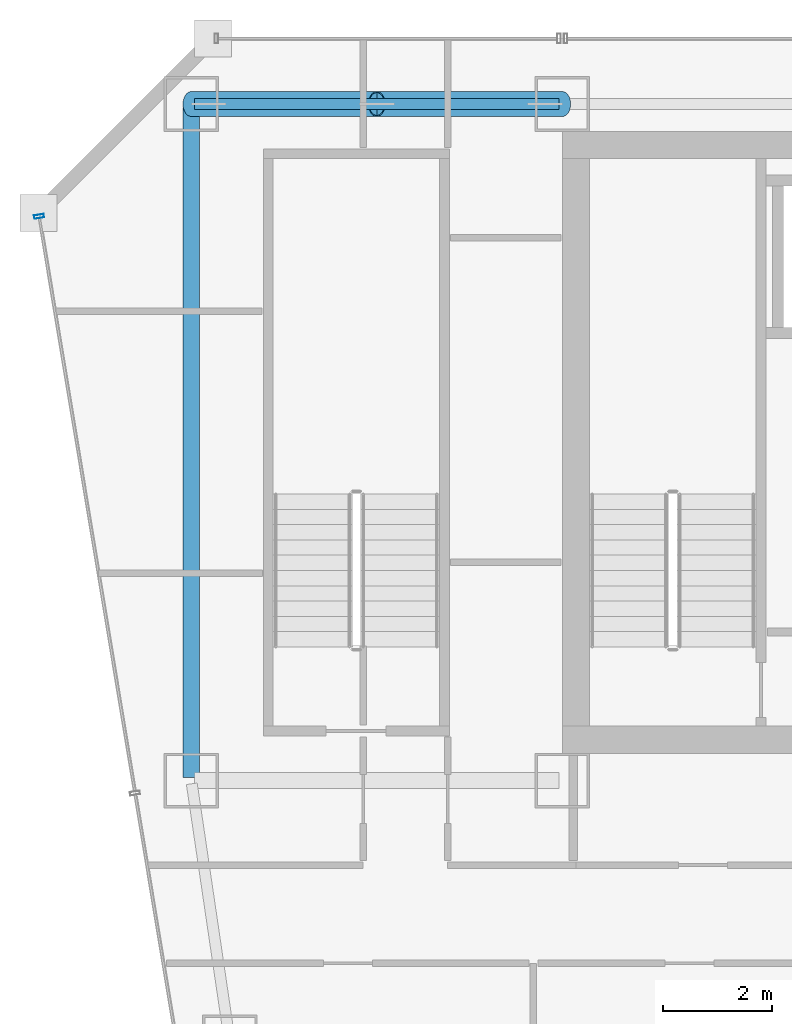
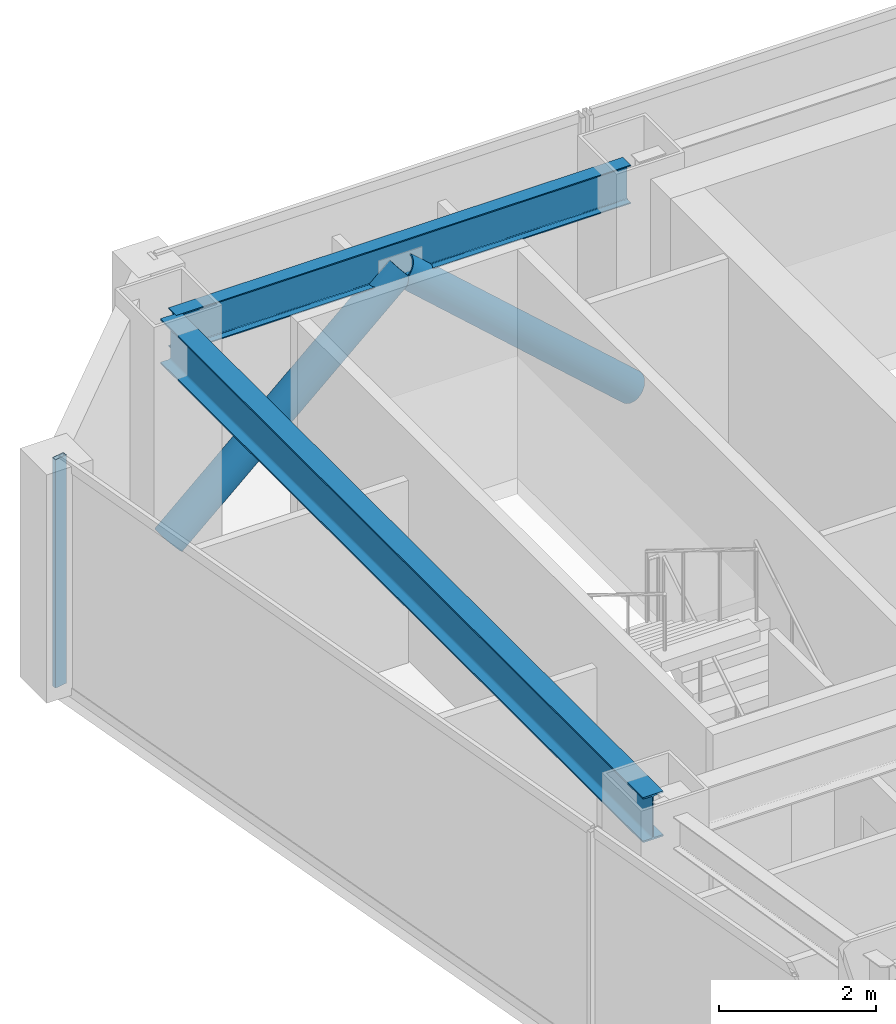
# One storey, part 20 of 37: 3 members, 2 beams, 1 element without a shape of its own.
"""IFC4 building model written with IfcOpenShell, lengths in metres."""

from ifc_helpers import new_model, si_unit, direction, frame, origin, origin_2d, place, context, subcontext, project, spatial, hollow_rectangle, hollow_circle, i_section, extrude, material, material_profile, profile_set, type_object, element, aggregate, save


model = new_model("IFC4")

# Units and contexts
model_context = context("Model", 3, precision=1e-05, world=origin(), true_north=direction((0.0, 1.0)))
body_context = subcontext(model_context, "Body", "Model", "MODEL_VIEW")
ifc_project = project(units=[si_unit("LENGTHUNIT", "METRE"), si_unit("AREAUNIT", "SQUARE_METRE"), si_unit("VOLUMEUNIT", "CUBIC_METRE"), si_unit("PLANEANGLEUNIT", "RADIAN"), si_unit("MASSUNIT", "GRAM", prefix="KILO")], contexts=[model_context])

# Site, building, storey
site_placement = place(None, origin())
site = spatial("IfcSite", under=ifc_project, at=site_placement, CompositionType="ELEMENT")
building_placement = place(site_placement, origin())
building = spatial("IfcBuilding", under=site, at=building_placement, Name="Saevonmaru Cultural Tower", CompositionType="ELEMENT")
storey_placement = place(building_placement, frame((0.0, 0.0, 160.0)))
storey = spatial("IfcBuildingStorey", under=building, at=storey_placement, Name="L35", CompositionType="ELEMENT", Elevation=160.0)

# Beams
ifc_material_1 = material(Name="Steel SM355", Category="steel")
ifc_material_profile_1 = material_profile(ifc_material_1, i_section(OverallWidth=0.300048828125, OverallDepth=0.699951171875, WebThickness=0.012939453125, FlangeThickness=0.02392578125, FilletRadius=0.02587890625, at=origin_2d()), Name="H-700x300x13x24")
ifc_profile_set_1 = profile_set([ifc_material_profile_1], Name="Steel SM355")
beam_type_1 = type_object("IfcBeamType", Name="BM-G-H700", PredefinedType="BEAM", material=ifc_profile_set_1)
beam_1_placement = place(storey_placement, frame((6.800048828125, 54.739990234375, 3.199951171875), z_axis=(0.0, -1.0, 0.0), x_axis=(1.0, 0.0, 0.0)))
element("IfcBeam", 1, at=beam_1_placement, inside=storey, type_object=beam_type_1, Name="L35 Spine Transverse Girder W", PredefinedType="BEAM", context=body_context, shape_type="SweptSolid", body=[
    extrude(i_section(OverallWidth=0.300048828125, OverallDepth=0.699951171875, WebThickness=0.012939453125, FlangeThickness=0.02392578125, FilletRadius=0.02587890625, at=origin_2d()), origin(), (0.0, 0.0, 1.0), 12.280029296875),
])
ifc_material_profile_2 = material_profile(ifc_material_1, i_section(OverallWidth=0.199951171875, OverallDepth=0.60009765625, WebThickness=0.010986328125, FlangeThickness=0.01708984375, FilletRadius=0.02197265625, at=origin_2d()), Name="H-600x200x11x17")
ifc_profile_set_2 = profile_set([ifc_material_profile_2], Name="Steel SM355")
beam_type_2 = type_object("IfcBeamType", Name="BM-SP-H600", PredefinedType="SPANDREL", material=ifc_profile_set_2)
beam_2_placement = place(storey_placement, frame((6.860107421875, 54.800048828125, 3.25), z_axis=(1.0, 0.0, 0.0), x_axis=(0.0, 1.0, 0.0)))
element("IfcBeam", 2, at=beam_2_placement, inside=storey, type_object=beam_type_2, Name="L35 North Spine Girder 1", PredefinedType="SPANDREL", context=body_context, shape_type="SweptSolid", body=[
    extrude(i_section(OverallWidth=0.199951171875, OverallDepth=0.60009765625, WebThickness=0.010986328125, FlangeThickness=0.01708984375, FilletRadius=0.02197265625, at=origin_2d()), origin(), (0.0, 0.0, 1.0), 6.679931640625),
])

# Members
ifc_material_2 = material(Name="Steel SM420", Category="steel")
ifc_material_profile_3 = material_profile(ifc_material_2, hollow_circle(Radius=0.228515625, WallThickness=0.02001953125, at=origin_2d()), Name="CHS-457.2x20")
ifc_profile_set_3 = profile_set([ifc_material_profile_3], Name="Steel SM420")
member_type_1 = type_object("IfcMemberType", Name="MB-PBR-CHS457", PredefinedType="BRACE", material=ifc_profile_set_3)
for number, where, z_axis, x_axis, name in (
    (3, (6.800048828125, 54.800048828125, 0.02001953125), (0.744366945704, 0.0, 0.667770806597), (0.0, 1.0, 0.0), "L35 Perimeter Braced-Tube Diagonal WN1"),
    (4, (13.60009765625, 54.800048828125, 0.02001953125), (-0.744390779303, 0.0, 0.66774423823), (0.0, -1.0, 0.0), "L35 Perimeter Braced-Tube Diagonal WN2"),
):
    element("IfcMember", number, at=place(storey_placement, frame(where, z_axis=z_axis, x_axis=x_axis)), inside=storey, type_object=member_type_1, Name=name, PredefinedType="BRACE", context=body_context, shape_type="SweptSolid", body=[
        extrude(hollow_circle(Radius=0.228515625, WallThickness=0.02001953125, at=origin_2d()), origin(), (0.0, 0.0, 1.0), 4.567626953125),
    ])

# Curtain wall, member
ifc_material_3 = material(Name="Satin Bronze Anodised Aluminium", Category="aluminium")
curtain_wall_type = type_object("IfcCurtainWallType", Name="CW-TYP-A", PredefinedType="NOTDEFINED", material=ifc_material_3)
curtain_wall_placement = place(storey_placement, origin())
curtain_wall = element("IfcCurtainWall", 5, at=curtain_wall_placement, inside=storey, type_object=curtain_wall_type, Name="L35 Unitised Curtain Wall E12", PredefinedType="NOTDEFINED")
ifc_material_profile_4 = material_profile(ifc_material_3, hollow_rectangle(XDim=0.06494140625, YDim=0.179931640625, WallThickness=0.00390625, at=origin_2d()), Name="ALU-MULL-180x65x4")
ifc_profile_set_4 = profile_set([ifc_material_profile_4], Name="Satin Bronze Anodised Aluminium")
member_type_2 = type_object("IfcMemberType", Name="ML-CW-180x65", PredefinedType="MULLION", material=ifc_profile_set_4)
member_placement = place(storey_placement, frame((4.009765625, 52.74072265625, 0.0), z_axis=(0.0, 0.0, 1.0), x_axis=(0.163998702345, -0.986460554523, 0.0)))
member = element("IfcMember", 6, at=member_placement, type_object=member_type_2, Name="CW-TW-L35-E12 mullion 1", PredefinedType="MULLION", context=body_context, shape_type="SweptSolid", body=[
    extrude(hollow_rectangle(XDim=0.06494140625, YDim=0.179931640625, WallThickness=0.00390625, at=origin_2d()), origin(), (0.0, 0.0, 1.0), 3.550048828125),
])
aggregate(curtain_wall, [member])

save(model, "model.ifc")
